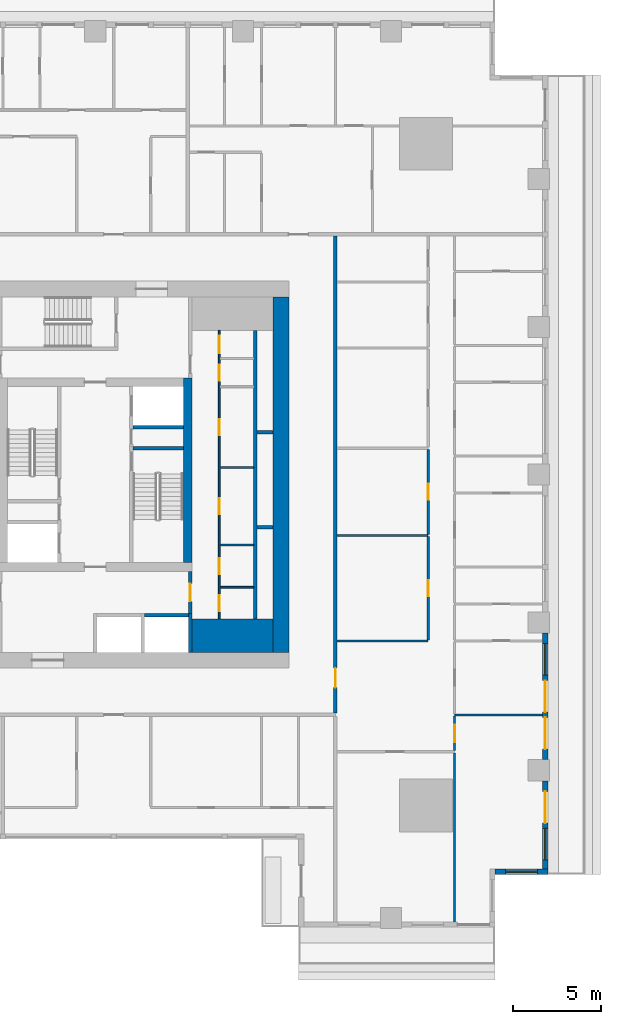
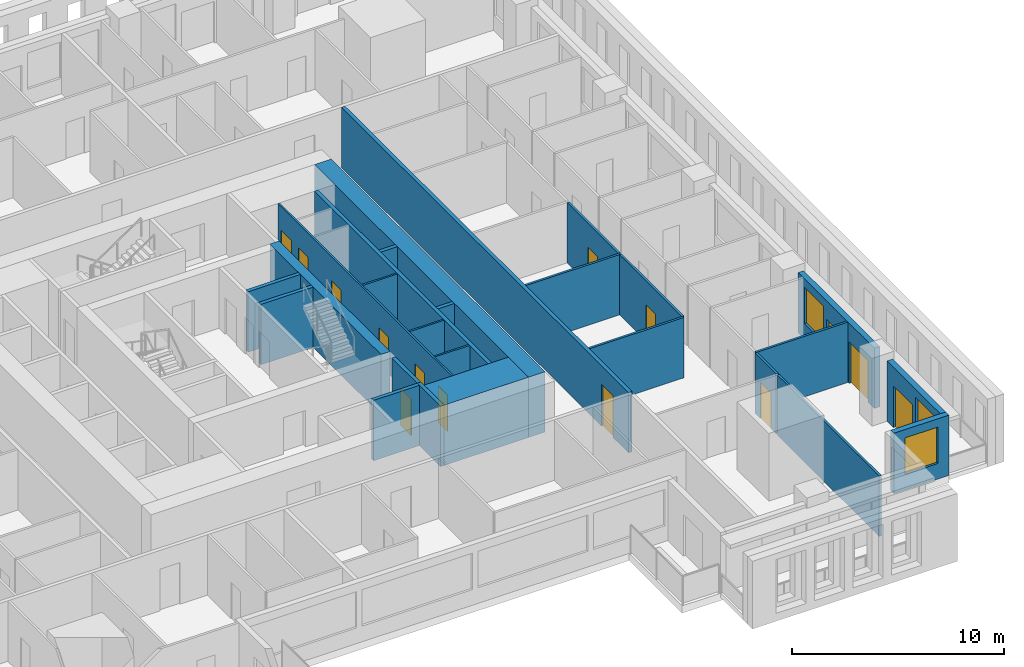
# One storey, part 5 of 15: 26 walls, 14 doors, 3 windows, 17 openings.
"""IFC4 building model written with IfcOpenShell, lengths in metres."""

from ifc_helpers import new_model, si_unit, direction, frame, frame_2d, origin, place, context, subcontext, project, spatial, rectangle, extrude, material, layer, layer_set, type_object, element, fill, save


model = new_model("IFC4")

# Units and contexts
model_context = context("Model", 3, precision=1e-05, world=origin(), true_north=direction((0.0, 1.0)))
body_context = subcontext(model_context, "Body", "Model", "MODEL_VIEW")
ifc_project = project(units=[si_unit("LENGTHUNIT", "METRE"), si_unit("AREAUNIT", "SQUARE_METRE"), si_unit("VOLUMEUNIT", "CUBIC_METRE"), si_unit("PLANEANGLEUNIT", "RADIAN"), si_unit("MASSUNIT", "GRAM", prefix="KILO")], contexts=[model_context])

# Site, building, storey
site_placement = place(None, origin())
site = spatial("IfcSite", under=ifc_project, at=site_placement, CompositionType="ELEMENT")
building_placement = place(site_placement, origin())
building = spatial("IfcBuilding", under=site, at=building_placement, Name="Khepri Terraces", CompositionType="ELEMENT")
storey_placement = place(building_placement, frame((0.0, 0.0, 58.199951171875)))
storey = spatial("IfcBuildingStorey", under=building, at=storey_placement, Name="L13", CompositionType="ELEMENT", Elevation=58.199951171875)

# Walls
ifc_material_1 = material(Name="Concrete C80/95", Category="concrete")
ifc_layer_1 = layer(ifc_material_1, 1.89990234375, Name="Concrete C80/95", Category="concrete")
ifc_layer_set_1 = layer_set([ifc_layer_1], Name="Concrete C80/95")
wall_type_1 = type_object("IfcWallType", Name="Core wall 1900 C80/95", PredefinedType="SHEAR", material=ifc_layer_set_1)
wall_1_placement = place(storey_placement, frame((5.5, -9.14990234375, 0.0), z_axis=(0.0, 0.0, 1.0), x_axis=(1.0, 0.0, 0.0)))
element("IfcWall", 1, at=wall_1_placement, inside=storey, type_object=wall_type_1, Name="Core wall PR02 L13", PredefinedType="SHEAR", context=body_context, shape_type="SweptSolid", body=[
    extrude(rectangle(XDim=4.60009765625, YDim=1.89990234375, at=frame_2d((2.300048828125, 0.0))), origin(), (0.0, 0.0, 1.0), 3.47998046875),
])
ifc_layer_2 = layer(ifc_material_1, 0.199951171875, Name="Concrete C80/95", Category="concrete")
ifc_layer_set_2 = layer_set([ifc_layer_2], Name="Concrete C80/95")
wall_type_2 = type_object("IfcWallType", Name="Core wall 200 C80/95", PredefinedType="SHEAR", material=ifc_layer_set_2)
wall_2_placement = place(storey_placement, frame((2.14990234375, 1.5, 0.0), z_axis=(0.0, 0.0, 1.0), x_axis=(1.0, 0.0, 0.0)))
element("IfcWall", 2, at=wall_2_placement, inside=storey, type_object=wall_type_2, Name="Core wall ST04 L13", PredefinedType="SHEAR", context=body_context, shape_type="SweptSolid", body=[
    extrude(rectangle(XDim=2.85009765625, YDim=0.199951171875, at=frame_2d((1.425048828125, 0.0))), origin(), (0.0, 0.0, 1.0), 3.47998046875),
])
wall_3_placement = place(storey_placement, frame((5.39990234375, -10.10009765625, 0.0), z_axis=(0.0, 0.0, 1.0), x_axis=(0.0, 1.0, 0.0)))
element("IfcWall", 3, at=wall_3_placement, inside=storey, type_object=wall_type_2, Name="Core wall SH03 L13", PredefinedType="SHEAR", context=body_context, shape_type="SweptSolid", body=[
    extrude(rectangle(XDim=2.2001953125, YDim=0.199951171875, at=frame_2d((1.10009765625, 0.0))), origin(), (0.0, 0.0, 1.0), 3.47998046875),
])
wall_4_placement = place(storey_placement, frame((9.10009765625, -8.199951171875, 0.0), z_axis=(0.0, 0.0, 1.0), x_axis=(0.0, 1.0, 0.0)))
element("IfcWall", 4, at=wall_4_placement, inside=storey, type_object=wall_type_2, Name="Core wall SH05 L13", PredefinedType="SHEAR", context=body_context, shape_type="SweptSolid", body=[
    extrude(rectangle(XDim=16.39990234375, YDim=0.199951171875, at=frame_2d((8.199951171875, 0.0))), origin(), (0.0, 0.0, 1.0), 3.47998046875),
])
wall_5_placement = place(storey_placement, frame((2.800048828125, -8.0, 0.0), z_axis=(0.0, 0.0, 1.0), x_axis=(1.0, 0.0, 0.0)))
element("IfcWall", 5, at=wall_5_placement, inside=storey, type_object=wall_type_2, Name="Core wall SH07 L13", PredefinedType="SHEAR", context=body_context, shape_type="SweptSolid", body=[
    extrude(rectangle(XDim=2.5, YDim=0.199951171875, at=frame_2d((1.25, 0.0))), origin(), (0.0, 0.0, 1.0), 3.47998046875),
])
for number, where, z_axis, x_axis, name in (
    (6, (9.199951171875, -3.0, 0.0), (0.0, 0.0, 1.0), (1.0, 0.0, 0.0), "Core wall SH11 L13"),
    (7, (9.199951171875, 2.39990234375, 0.0), (0.0, 0.0, 1.0), (1.0, 0.0, 0.0), "Core wall SH16 L13"),
):
    element("IfcWall", number, at=place(storey_placement, frame(where, z_axis=z_axis, x_axis=x_axis)), inside=storey, type_object=wall_type_2, Name=name, PredefinedType="SHEAR", context=body_context, shape_type="SweptSolid", body=[
        extrude(rectangle(XDim=0.900146484375, YDim=0.199951171875, at=frame_2d((0.4501953125, 0.0))), origin(), (0.0, 0.0, 1.0), 3.47998046875),
    ])
wall_6_placement = place(storey_placement, frame((2.14990234375, 2.699951171875, 0.0), z_axis=(0.0, 0.0, 1.0), x_axis=(1.0, 0.0, 0.0)))
element("IfcWall", 8, at=wall_6_placement, inside=storey, type_object=wall_type_2, Name="Core wall SH18 L13", PredefinedType="SHEAR", context=body_context, shape_type="SweptSolid", body=[
    extrude(rectangle(XDim=2.85009765625, YDim=0.199951171875, at=frame_2d((1.425048828125, 0.0))), origin(), (0.0, 0.0, 1.0), 3.47998046875),
])
ifc_layer_3 = layer(ifc_material_1, 0.5, Name="Concrete C80/95", Category="concrete")
ifc_layer_set_3 = layer_set([ifc_layer_3], Name="Concrete C80/95")
wall_type_3 = type_object("IfcWallType", Name="Core wall 500 C80/95", PredefinedType="SHEAR", material=ifc_layer_set_3)
wall_7_placement = place(storey_placement, frame((5.25, -5.0, 0.0), z_axis=(0.0, 0.0, 1.0), x_axis=(0.0, 1.0, 0.0)))
element("IfcWall", 9, at=wall_7_placement, inside=storey, type_object=wall_type_3, Name="Core wall BX03 L13", PredefinedType="SHEAR", context=body_context, shape_type="SweptSolid", body=[
    extrude(rectangle(XDim=10.5, YDim=0.5, at=frame_2d((5.25, 0.0))), origin(), (0.0, 0.0, 1.0), 3.47998046875),
])
ifc_layer_4 = layer(ifc_material_1, 0.89990234375, Name="Concrete C80/95", Category="concrete")
ifc_layer_set_4 = layer_set([ifc_layer_4], Name="Concrete C80/95")
wall_type_4 = type_object("IfcWallType", Name="Core wall 900 C80/95", PredefinedType="SHEAR", material=ifc_layer_set_4)
wall_8_placement = place(storey_placement, frame((10.550048828125, -10.10009765625, 0.0), z_axis=(0.0, 0.0, 1.0), x_axis=(0.0, 1.0, 0.0)))
element("IfcWall", 10, at=wall_8_placement, inside=storey, type_object=wall_type_4, Name="Core wall OW-E L13", PredefinedType="SHEAR", context=body_context, shape_type="SweptSolid", body=[
    extrude(rectangle(XDim=20.2001953125, YDim=0.89990234375, at=frame_2d((10.10009765625, 0.0))), origin(), (0.0, 0.0, 1.0), 3.47998046875),
])

# Wall, openings, doors
ifc_material_2 = material(Name="Fire-rated gypsum board partition")
ifc_layer_5 = layer(ifc_material_2, 0.10009765625, Name="Fire-rated gypsum board partition")
ifc_layer_set_5 = layer_set([ifc_layer_5], Name="Fire-rated gypsum board partition")
wall_type_5 = type_object("IfcWallType", Name="WL-CORE-PART-100", PredefinedType="PARTITIONING", material=ifc_layer_set_5)
wall_9_placement = place(storey_placement, frame((7.050048828125, -8.199951171875, 0.0), z_axis=(0.0, 0.0, 1.0), x_axis=(0.0, 1.0, 0.0)))
wall_9 = element("IfcWall", 11, at=wall_9_placement, inside=storey, type_object=wall_type_5, Name="Core partition PT02 L13", PredefinedType="PARTITIONING", context=body_context, shape_type="SweptSolid", body=[
    extrude(rectangle(XDim=16.39990234375, YDim=0.10009765625, at=frame_2d((8.199951171875, 0.0))), origin(), (0.0, 0.0, 1.0), 3.47998046875),
])
opening_1_placement = place(wall_9_placement, frame((0.449951171875, 0.0, 0.0)))
opening_1 = element("IfcOpeningElement", 12, at=opening_1_placement, cuts=wall_9, Name="Opening L13-C22", PredefinedType="OPENING", context=body_context, shape_type="SweptSolid", body=[
    extrude(rectangle(XDim=0.89990234375, YDim=2.10009765625, at=frame_2d((0.449951171875, 1.050048828125))), frame((0.0, 0.06005859375, 0.0), z_axis=(0.0, -1.0, 0.0), x_axis=(1.0, 0.0, 0.0)), (0.0, 0.0, 1.0), 0.1201171875),
])
opening_2_placement = place(wall_9_placement, frame((2.550048828125, 0.0, 0.0)))
opening_2 = element("IfcOpeningElement", 13, at=opening_2_placement, cuts=wall_9, Name="Opening L13-C23", PredefinedType="OPENING", context=body_context, shape_type="SweptSolid", body=[
    extrude(rectangle(XDim=0.89990234375, YDim=2.10009765625, at=frame_2d((0.449951171875, 1.050048828125))), frame((0.0, 0.06005859375, 0.0), z_axis=(0.0, -1.0, 0.0), x_axis=(1.0, 0.0, 0.0)), (0.0, 0.0, 1.0), 0.1201171875),
])
opening_3_placement = place(wall_9_placement, frame((5.949951171875, 0.0, 0.0)))
opening_3 = element("IfcOpeningElement", 14, at=opening_3_placement, cuts=wall_9, Name="Opening L13-C24", PredefinedType="OPENING", context=body_context, shape_type="SweptSolid", body=[
    extrude(rectangle(XDim=0.89990234375, YDim=2.10009765625, at=frame_2d((0.449951171875, 1.050048828125))), frame((0.0, 0.06005859375, 0.0), z_axis=(0.0, -1.0, 0.0), x_axis=(1.0, 0.0, 0.0)), (0.0, 0.0, 1.0), 0.1201171875),
])
opening_4_placement = place(wall_9_placement, frame((10.449951171875, 0.0, 0.0)))
opening_4 = element("IfcOpeningElement", 15, at=opening_4_placement, cuts=wall_9, Name="Opening L13-C25", PredefinedType="OPENING", context=body_context, shape_type="SweptSolid", body=[
    extrude(rectangle(XDim=0.89990234375, YDim=2.10009765625, at=frame_2d((0.449951171875, 1.050048828125))), frame((0.0, 0.06005859375, 0.0), z_axis=(0.0, -1.0, 0.0), x_axis=(1.0, 0.0, 0.0)), (0.0, 0.0, 1.0), 0.1201171875),
])
opening_5_placement = place(wall_9_placement, frame((13.550048828125, 0.0, 0.0)))
opening_5 = element("IfcOpeningElement", 16, at=opening_5_placement, cuts=wall_9, Name="Opening L13-C26", PredefinedType="OPENING", context=body_context, shape_type="SweptSolid", body=[
    extrude(rectangle(XDim=0.89990234375, YDim=2.10009765625, at=frame_2d((0.449951171875, 1.050048828125))), frame((0.0, 0.06005859375, 0.0), z_axis=(0.0, -1.0, 0.0), x_axis=(1.0, 0.0, 0.0)), (0.0, 0.0, 1.0), 0.1201171875),
])
opening_6_placement = place(wall_9_placement, frame((15.10009765625, 0.0, 0.0)))
opening_6 = element("IfcOpeningElement", 17, at=opening_6_placement, cuts=wall_9, Name="Opening L13-C27", PredefinedType="OPENING", context=body_context, shape_type="SweptSolid", body=[
    extrude(rectangle(XDim=1.0, YDim=2.10009765625, at=frame_2d((0.5, 1.050048828125))), frame((0.0, 0.06005859375, 0.0), z_axis=(0.0, -1.0, 0.0), x_axis=(1.0, 0.0, 0.0)), (0.0, 0.0, 1.0), 0.1201171875),
])
ifc_material_3 = material(Name="Painted steel", Category="steel")
door_type_1 = type_object("IfcDoorType", Name="DR-CORE-SERVICE-900", OperationType="NOTDEFINED", PredefinedType="DOOR", material=ifc_material_3)
door_1_placement = place(opening_1_placement, frame((0.89990234375, 0.0, 0.0), z_axis=(0.0, 0.0, 1.0), x_axis=(-1.0, 0.0, 0.0)))
door_1 = element("IfcDoor", 18, at=door_1_placement, inside=storey, type_object=door_type_1, Name="Service room door L13-C22", OperationType="SINGLE_SWING_RIGHT", OverallHeight=2.10009765625, OverallWidth=0.89990234375, PredefinedType="DOOR", context=body_context, shape_type="SweptSolid", body=[
    extrude(rectangle(XDim=0.89990234375, YDim=2.10009765625, at=frame_2d((0.449951171875, 1.050048828125))), frame((0.0, 0.02490234375, 0.0), z_axis=(0.0, -1.0, 0.0), x_axis=(1.0, 0.0, 0.0)), (0.0, 0.0, 1.0), 0.050048828125),
])
fill(opening_1, door_1)
door_2_placement = place(opening_2_placement, frame((0.89990234375, 0.0, 0.0), z_axis=(0.0, 0.0, 1.0), x_axis=(-1.0, 0.0, 0.0)))
door_2 = element("IfcDoor", 19, at=door_2_placement, inside=storey, type_object=door_type_1, Name="Service room door L13-C23", OperationType="SINGLE_SWING_RIGHT", OverallHeight=2.10009765625, OverallWidth=0.89990234375, PredefinedType="DOOR", context=body_context, shape_type="SweptSolid", body=[
    extrude(rectangle(XDim=0.89990234375, YDim=2.10009765625, at=frame_2d((0.449951171875, 1.050048828125))), frame((0.0, 0.02490234375, 0.0), z_axis=(0.0, -1.0, 0.0), x_axis=(1.0, 0.0, 0.0)), (0.0, 0.0, 1.0), 0.050048828125),
])
fill(opening_2, door_2)
door_3_placement = place(opening_3_placement, frame((0.89990234375, 0.0, 0.0), z_axis=(0.0, 0.0, 1.0), x_axis=(-1.0, 0.0, 0.0)))
door_3 = element("IfcDoor", 20, at=door_3_placement, inside=storey, type_object=door_type_1, Name="Service room door L13-C24", OperationType="SINGLE_SWING_RIGHT", OverallHeight=2.10009765625, OverallWidth=0.89990234375, PredefinedType="DOOR", context=body_context, shape_type="SweptSolid", body=[
    extrude(rectangle(XDim=0.89990234375, YDim=2.10009765625, at=frame_2d((0.449951171875, 1.050048828125))), frame((0.0, 0.02490234375, 0.0), z_axis=(0.0, -1.0, 0.0), x_axis=(1.0, 0.0, 0.0)), (0.0, 0.0, 1.0), 0.050048828125),
])
fill(opening_3, door_3)
door_4_placement = place(opening_4_placement, frame((0.89990234375, 0.0, 0.0), z_axis=(0.0, 0.0, 1.0), x_axis=(-1.0, 0.0, 0.0)))
door_4 = element("IfcDoor", 21, at=door_4_placement, inside=storey, type_object=door_type_1, Name="Service room door L13-C25", OperationType="SINGLE_SWING_LEFT", OverallHeight=2.10009765625, OverallWidth=0.89990234375, PredefinedType="DOOR", context=body_context, shape_type="SweptSolid", body=[
    extrude(rectangle(XDim=0.89990234375, YDim=2.10009765625, at=frame_2d((0.449951171875, 1.050048828125))), frame((0.0, 0.02490234375, 0.0), z_axis=(0.0, -1.0, 0.0), x_axis=(1.0, 0.0, 0.0)), (0.0, 0.0, 1.0), 0.050048828125),
])
fill(opening_4, door_4)
door_5_placement = place(opening_5_placement, frame((0.89990234375, 0.0, 0.0), z_axis=(0.0, 0.0, 1.0), x_axis=(-1.0, 0.0, 0.0)))
door_5 = element("IfcDoor", 22, at=door_5_placement, inside=storey, type_object=door_type_1, Name="Service room door L13-C26", OperationType="SINGLE_SWING_LEFT", OverallHeight=2.10009765625, OverallWidth=0.89990234375, PredefinedType="DOOR", context=body_context, shape_type="SweptSolid", body=[
    extrude(rectangle(XDim=0.89990234375, YDim=2.10009765625, at=frame_2d((0.449951171875, 1.050048828125))), frame((0.0, 0.02490234375, 0.0), z_axis=(0.0, -1.0, 0.0), x_axis=(1.0, 0.0, 0.0)), (0.0, 0.0, 1.0), 0.050048828125),
])
fill(opening_5, door_5)
ifc_material_4 = material(Name="Timber veneer", Category="wood")
door_type_2 = type_object("IfcDoorType", Name="DR-CORE-WC-1000", OperationType="NOTDEFINED", PredefinedType="DOOR", material=ifc_material_4)
door_6_placement = place(opening_6_placement, frame((1.0, 0.0, 0.0), z_axis=(0.0, 0.0, 1.0), x_axis=(-1.0, 0.0, 0.0)))
door_6 = element("IfcDoor", 23, at=door_6_placement, inside=storey, type_object=door_type_2, Name="WC door L13-C27", OperationType="SINGLE_SWING_LEFT", OverallHeight=2.10009765625, OverallWidth=1.0, PredefinedType="DOOR", context=body_context, shape_type="SweptSolid", body=[
    extrude(rectangle(XDim=1.0, YDim=2.10009765625, at=frame_2d((0.5, 1.050048828125))), frame((0.0, 0.02490234375, 0.0), z_axis=(0.0, -1.0, 0.0), x_axis=(1.0, 0.0, 0.0)), (0.0, 0.0, 1.0), 0.050048828125),
])
fill(opening_6, door_6)

# Walls
for number, where, z_axis, x_axis, name in (
    (24, (7.10009765625, -6.39990234375, 0.0), (0.0, 0.0, 1.0), (1.0, 0.0, 0.0), "Core partition PT04 L13"),
    (25, (7.10009765625, -4.0, 0.0), (0.0, 0.0, 1.0), (1.0, 0.0, 0.0), "Core partition PT05 L13"),
    (26, (7.10009765625, 0.39990234375, 0.0), (0.0, 0.0, 1.0), (1.0, 0.0, 0.0), "Core partition PT06 L13"),
):
    element("IfcWall", number, at=place(storey_placement, frame(where, z_axis=z_axis, x_axis=x_axis)), inside=storey, type_object=wall_type_5, Name=name, PredefinedType="PARTITIONING", context=body_context, shape_type="SweptSolid", body=[
        extrude(rectangle(XDim=1.89990234375, YDim=0.10009765625, at=frame_2d((0.949951171875, 0.0))), origin(), (0.0, 0.0, 1.0), 3.47998046875),
    ])

# Wall, opening, door
ifc_layer_6 = layer(ifc_material_2, 0.199951171875, Name="Fire-rated gypsum board partition")
ifc_layer_set_6 = layer_set([ifc_layer_6], Name="Fire-rated gypsum board partition")
wall_type_6 = type_object("IfcWallType", Name="WL-CORE-PART-200", PredefinedType="PARTITIONING", material=ifc_layer_set_6)
wall_10_placement = place(storey_placement, frame((5.39990234375, -7.89990234375, 0.0), z_axis=(0.0, 0.0, 1.0), x_axis=(0.0, 1.0, 0.0)))
wall_10 = element("IfcWall", 27, at=wall_10_placement, inside=storey, type_object=wall_type_6, Name="Core partition PT03 L13", PredefinedType="PARTITIONING", context=body_context, shape_type="SweptSolid", body=[
    extrude(rectangle(XDim=2.39990234375, YDim=0.199951171875, at=frame_2d((1.199951171875, 0.0))), origin(), (0.0, 0.0, 1.0), 3.47998046875),
])
opening_7_placement = place(wall_10_placement, frame((0.699951171875, 0.0, 0.0)))
opening_7 = element("IfcOpeningElement", 28, at=opening_7_placement, cuts=wall_10, Name="Opening L13-C19", PredefinedType="OPENING", context=body_context, shape_type="SweptSolid", body=[
    extrude(rectangle(XDim=1.0, YDim=2.10009765625, at=frame_2d((0.5, 1.050048828125))), frame((0.0, 0.10986328125, 0.0), z_axis=(0.0, -1.0, 0.0), x_axis=(1.0, 0.0, 0.0)), (0.0, 0.0, 1.0), 0.219970703125),
])
door_type_3 = type_object("IfcDoorType", Name="DR-CORE-LOBBY-1000", OperationType="NOTDEFINED", PredefinedType="DOOR", material=ifc_material_3)
door_7_placement = place(opening_7_placement, origin())
door_7 = element("IfcDoor", 29, at=door_7_placement, inside=storey, type_object=door_type_3, Name="Lobby door L13-C19", OperationType="SINGLE_SWING_RIGHT", OverallHeight=2.10009765625, OverallWidth=1.0, PredefinedType="DOOR", context=body_context, shape_type="SweptSolid", body=[
    extrude(rectangle(XDim=1.0, YDim=2.10009765625, at=frame_2d((0.5, 1.050048828125))), frame((0.0, 0.02490234375, 0.0), z_axis=(0.0, -1.0, 0.0), x_axis=(1.0, 0.0, 0.0)), (0.0, 0.0, 1.0), 0.050048828125),
])
fill(opening_7, door_7)

ifc_material_5 = material(Name="Fire-rated gypsum plasterboard partition, mineral wool")
ifc_layer_7 = layer(ifc_material_5, 0.199951171875, Name="Fire-rated gypsum plasterboard partition, mineral wool")
ifc_layer_set_7 = layer_set([ifc_layer_7], Name="Fire-rated gypsum plasterboard partition, mineral wool")
wall_type_7 = type_object("IfcWallType", Name="WL-CORR-200", PredefinedType="PARTITIONING", material=ifc_layer_set_7)
wall_11_placement = place(storey_placement, frame((13.64990234375, -13.550048828125, 0.0), z_axis=(0.0, 0.0, 1.0), x_axis=(0.0, 1.0, 0.0)))
wall_11 = element("IfcWall", 30, at=wall_11_placement, inside=storey, type_object=wall_type_7, Name="Partition P-024 L13", PredefinedType="PARTITIONING", context=body_context, shape_type="SweptSolid", body=[
    extrude(rectangle(XDim=27.10009765625, YDim=0.199951171875, at=frame_2d((13.550048828125, 0.0))), origin(), (0.0, 0.0, 1.0), 3.47998046875),
])
opening_8_placement = place(wall_11_placement, frame((1.449951171875, 0.0, 0.0)))
opening_8 = element("IfcOpeningElement", 31, at=opening_8_placement, cuts=wall_11, Name="Opening D1", PredefinedType="OPENING", context=body_context, shape_type="SweptSolid", body=[
    extrude(rectangle(XDim=1.10009765625, YDim=2.39990234375, at=frame_2d((0.550048828125, 1.199951171875))), frame((0.0, 0.10986328125, 0.0), z_axis=(0.0, -1.0, 0.0), x_axis=(1.0, 0.0, 0.0)), (0.0, 0.0, 1.0), 0.219970703125),
])
ifc_material_6 = material(Name="Solid-core timber door leaf, flat entrance door", Category="wood")
door_type_4 = type_object("IfcDoorType", Name="DR-ENT-1100", OperationType="NOTDEFINED", PredefinedType="DOOR", material=ifc_material_6)
door_8_placement = place(opening_8_placement, frame((1.10009765625, 0.0, 0.0), z_axis=(0.0, 0.0, 1.0), x_axis=(-1.0, 0.0, 0.0)))
door_8 = element("IfcDoor", 32, at=door_8_placement, inside=storey, type_object=door_type_4, Name="Flat B1 entrance door", OperationType="SINGLE_SWING_RIGHT", OverallHeight=2.39990234375, OverallWidth=1.10009765625, PredefinedType="DOOR", context=body_context, shape_type="SweptSolid", body=[
    extrude(rectangle(XDim=1.10009765625, YDim=2.39990234375, at=frame_2d((0.550048828125, 1.199951171875))), frame((0.0, 0.02490234375, 0.0), z_axis=(0.0, -1.0, 0.0), x_axis=(1.0, 0.0, 0.0)), (0.0, 0.0, 1.0), 0.050048828125),
])
fill(opening_8, door_8)

# Wall, opening, window
ifc_material_7 = material(Name="Precast concrete C50/60 warm stone", Category="masonry")
ifc_layer_8 = layer(ifc_material_7, 0.300048828125, Name="Precast concrete C50/60 warm stone", Category="masonry")
ifc_layer_set_8 = layer_set([ifc_layer_8], Name="Precast concrete C50/60 warm stone")
wall_type_8 = type_object("IfcWallType", Name="WL-EXT-PRECAST-300", PredefinedType="STANDARD", material=ifc_layer_set_8)
wall_12_placement = place(storey_placement, frame((22.719970703125, -22.570068359375, 0.0), z_axis=(0.0, 0.0, 1.0), x_axis=(1.0, 0.0, 0.0)))
wall_12 = element("IfcWall", 33, at=wall_12_placement, inside=storey, type_object=wall_type_8, Name="External wall L13 S", PredefinedType="STANDARD", context=body_context, shape_type="SweptSolid", body=[
    extrude(rectangle(XDim=3.0, YDim=0.300048828125, at=frame_2d((1.5, 0.0))), origin(), (0.0, 0.0, 1.0), 3.47998046875),
])
opening_9_placement = place(wall_12_placement, frame((0.60009765625, 0.0, 0.89990234375)))
opening_9 = element("IfcOpeningElement", 34, at=opening_9_placement, cuts=wall_12, Name="Opening W1", PredefinedType="OPENING", context=body_context, shape_type="SweptSolid", body=[
    extrude(rectangle(XDim=1.800048828125, YDim=2.10009765625, at=frame_2d((0.89990234375, 1.050048828125))), frame((0.0, 0.16015625, 0.0), z_axis=(0.0, -1.0, 0.0), x_axis=(1.0, 0.0, 0.0)), (0.0, 0.0, 1.0), 0.320068359375),
])
ifc_material_8 = material(Name="Clear glass", Category="glass")
window_type = type_object("IfcWindowType", Name="WIN-RES-1800x2100", PartitioningType="SINGLE_PANEL", PredefinedType="WINDOW", material=ifc_material_8)
window_1_placement = place(opening_9_placement, origin())
window_1 = element("IfcWindow", 35, at=window_1_placement, inside=storey, type_object=window_type, Name="Window L13 S", OverallHeight=2.10009765625, OverallWidth=1.800048828125, PartitioningType="SINGLE_PANEL", PredefinedType="WINDOW", context=body_context, shape_type="SweptSolid", body=[
    extrude(rectangle(XDim=1.800048828125, YDim=2.10009765625, at=frame_2d((0.89990234375, 1.050048828125))), frame((0.0, 0.030029296875, 0.0), z_axis=(0.0, -1.0, 0.0), x_axis=(1.0, 0.0, 0.0)), (0.0, 0.0, 1.0), 0.06005859375),
])
fill(opening_9, window_1)

# Wall, openings, door, window
wall_13_placement = place(storey_placement, frame((25.570068359375, -22.419921875, 0.0), z_axis=(0.0, 0.0, 1.0), x_axis=(0.0, 1.0, 0.0)))
wall_13 = element("IfcWall", 36, at=wall_13_placement, inside=storey, type_object=wall_type_8, Name="External wall L13 E", PredefinedType="STANDARD", context=body_context, shape_type="SweptSolid", body=[
    extrude(rectangle(XDim=5.02001953125, YDim=0.300048828125, at=frame_2d((2.510009765625, 0.0))), origin(), (0.0, 0.0, 1.0), 3.47998046875),
])
opening_10_placement = place(wall_13_placement, frame((0.52001953125, 0.0, 0.89990234375)))
opening_10 = element("IfcOpeningElement", 37, at=opening_10_placement, cuts=wall_13, Name="Opening W1", PredefinedType="OPENING", context=body_context, shape_type="SweptSolid", body=[
    extrude(rectangle(XDim=1.800048828125, YDim=2.10009765625, at=frame_2d((0.89990234375, 1.050048828125))), frame((0.0, 0.16015625, 0.0), z_axis=(0.0, -1.0, 0.0), x_axis=(1.0, 0.0, 0.0)), (0.0, 0.0, 1.0), 0.320068359375),
])
opening_11_placement = place(wall_13_placement, frame((2.6201171875, 0.0, 0.0)))
opening_11 = element("IfcOpeningElement", 38, at=opening_11_placement, cuts=wall_13, Name="Opening ED-L13-01", PredefinedType="OPENING", context=body_context, shape_type="SweptSolid", body=[
    extrude(rectangle(XDim=1.800048828125, YDim=2.39990234375, at=frame_2d((0.89990234375, 1.199951171875))), frame((0.0, 0.16015625, 0.0), z_axis=(0.0, -1.0, 0.0), x_axis=(1.0, 0.0, 0.0)), (0.0, 0.0, 1.0), 0.320068359375),
])
ifc_material_9 = material(Name="Anodised aluminium bronze glazed door", Category="aluminium")
door_type_5 = type_object("IfcDoorType", Name="DR-BAL-SLIDE-1800x2400", OperationType="NOTDEFINED", PredefinedType="DOOR", material=ifc_material_9)
door_9_placement = place(opening_11_placement, origin())
door_9 = element("IfcDoor", 39, at=door_9_placement, inside=storey, type_object=door_type_5, Name="Balcony door L13 E", OperationType="SLIDING_TO_RIGHT", OverallHeight=2.39990234375, OverallWidth=1.800048828125, PredefinedType="DOOR", context=body_context, shape_type="SweptSolid", body=[
    extrude(rectangle(XDim=1.800048828125, YDim=2.39990234375, at=frame_2d((0.89990234375, 1.199951171875))), frame((0.0, 0.02490234375, 0.0), z_axis=(0.0, -1.0, 0.0), x_axis=(1.0, 0.0, 0.0)), (0.0, 0.0, 1.0), 0.050048828125),
])
fill(opening_11, door_9)
window_2_placement = place(opening_10_placement, origin())
window_2 = element("IfcWindow", 40, at=window_2_placement, inside=storey, type_object=window_type, Name="Window L13 E", OverallHeight=2.10009765625, OverallWidth=1.800048828125, PartitioningType="SINGLE_PANEL", PredefinedType="WINDOW", context=body_context, shape_type="SweptSolid", body=[
    extrude(rectangle(XDim=1.800048828125, YDim=2.10009765625, at=frame_2d((0.89990234375, 1.050048828125))), frame((0.0, 0.030029296875, 0.0), z_axis=(0.0, -1.0, 0.0), x_axis=(1.0, 0.0, 0.0)), (0.0, 0.0, 1.0), 0.06005859375),
])
fill(opening_10, window_2)

# Wall, openings, doors, window
wall_14_placement = place(storey_placement, frame((25.570068359375, -16.199951171875, 0.0), z_axis=(0.0, 0.0, 1.0), x_axis=(0.0, 1.0, 0.0)))
wall_14 = element("IfcWall", 41, at=wall_14_placement, inside=storey, type_object=wall_type_8, Name="External wall L13 E", PredefinedType="STANDARD", context=body_context, shape_type="SweptSolid", body=[
    extrude(rectangle(XDim=7.199951171875, YDim=0.300048828125, at=frame_2d((3.60009765625, 0.0))), origin(), (0.0, 0.0, 1.0), 3.47998046875),
])
opening_12_placement = place(wall_14_placement, frame((0.60009765625, 0.0, 0.0)))
opening_12 = element("IfcOpeningElement", 42, at=opening_12_placement, cuts=wall_14, Name="Opening ED-L13-02", PredefinedType="OPENING", context=body_context, shape_type="SweptSolid", body=[
    extrude(rectangle(XDim=1.800048828125, YDim=2.39990234375, at=frame_2d((0.89990234375, 1.199951171875))), frame((0.0, 0.16015625, 0.0), z_axis=(0.0, -1.0, 0.0), x_axis=(1.0, 0.0, 0.0)), (0.0, 0.0, 1.0), 0.320068359375),
])
opening_13_placement = place(wall_14_placement, frame((2.699951171875, 0.0, 0.0)))
opening_13 = element("IfcOpeningElement", 43, at=opening_13_placement, cuts=wall_14, Name="Opening ED-L13-03", PredefinedType="OPENING", context=body_context, shape_type="SweptSolid", body=[
    extrude(rectangle(XDim=1.800048828125, YDim=2.39990234375, at=frame_2d((0.89990234375, 1.199951171875))), frame((0.0, 0.16015625, 0.0), z_axis=(0.0, -1.0, 0.0), x_axis=(1.0, 0.0, 0.0)), (0.0, 0.0, 1.0), 0.320068359375),
])
opening_14_placement = place(wall_14_placement, frame((4.800048828125, 0.0, 0.89990234375)))
opening_14 = element("IfcOpeningElement", 44, at=opening_14_placement, cuts=wall_14, Name="Opening W1", PredefinedType="OPENING", context=body_context, shape_type="SweptSolid", body=[
    extrude(rectangle(XDim=1.800048828125, YDim=2.10009765625, at=frame_2d((0.89990234375, 1.050048828125))), frame((0.0, 0.16015625, 0.0), z_axis=(0.0, -1.0, 0.0), x_axis=(1.0, 0.0, 0.0)), (0.0, 0.0, 1.0), 0.320068359375),
])
door_10_placement = place(opening_12_placement, origin())
door_10 = element("IfcDoor", 45, at=door_10_placement, inside=storey, type_object=door_type_5, Name="Balcony door L13 E", OperationType="SLIDING_TO_LEFT", OverallHeight=2.39990234375, OverallWidth=1.800048828125, PredefinedType="DOOR", context=body_context, shape_type="SweptSolid", body=[
    extrude(rectangle(XDim=1.800048828125, YDim=2.39990234375, at=frame_2d((0.89990234375, 1.199951171875))), frame((0.0, 0.02490234375, 0.0), z_axis=(0.0, -1.0, 0.0), x_axis=(1.0, 0.0, 0.0)), (0.0, 0.0, 1.0), 0.050048828125),
])
fill(opening_12, door_10)
door_11_placement = place(opening_13_placement, origin())
door_11 = element("IfcDoor", 46, at=door_11_placement, inside=storey, type_object=door_type_5, Name="Balcony door L13 E", OperationType="SLIDING_TO_RIGHT", OverallHeight=2.39990234375, OverallWidth=1.800048828125, PredefinedType="DOOR", context=body_context, shape_type="SweptSolid", body=[
    extrude(rectangle(XDim=1.800048828125, YDim=2.39990234375, at=frame_2d((0.89990234375, 1.199951171875))), frame((0.0, 0.02490234375, 0.0), z_axis=(0.0, -1.0, 0.0), x_axis=(1.0, 0.0, 0.0)), (0.0, 0.0, 1.0), 0.050048828125),
])
fill(opening_13, door_11)
window_3_placement = place(opening_14_placement, origin())
window_3 = element("IfcWindow", 47, at=window_3_placement, inside=storey, type_object=window_type, Name="Window L13 E", OverallHeight=2.10009765625, OverallWidth=1.800048828125, PartitioningType="SINGLE_PANEL", PredefinedType="WINDOW", context=body_context, shape_type="SweptSolid", body=[
    extrude(rectangle(XDim=1.800048828125, YDim=2.10009765625, at=frame_2d((0.89990234375, 1.050048828125))), frame((0.0, 0.030029296875, 0.0), z_axis=(0.0, -1.0, 0.0), x_axis=(1.0, 0.0, 0.0)), (0.0, 0.0, 1.0), 0.06005859375),
])
fill(opening_14, window_3)

# Wall
ifc_material_10 = material(Name="Gypsum plasterboard partition")
ifc_layer_9 = layer(ifc_material_10, 0.1201171875, Name="Gypsum plasterboard partition")
ifc_layer_set_9 = layer_set([ifc_layer_9], Name="Gypsum plasterboard partition")
wall_type_9 = type_object("IfcWallType", Name="WL-PART-120", PredefinedType="PARTITIONING", material=ifc_layer_set_9)
wall_15_placement = place(storey_placement, frame((20.419921875, -25.419921875, 0.0), z_axis=(0.0, 0.0, 1.0), x_axis=(0.0, 1.0, 0.0)))
element("IfcWall", 48, at=wall_15_placement, inside=storey, type_object=wall_type_9, Name="Partition P-002 L13", PredefinedType="PARTITIONING", context=body_context, shape_type="SweptSolid", body=[
    extrude(rectangle(XDim=9.60986328125, YDim=0.1201171875, at=frame_2d((4.804931640625, 0.0))), origin(), (0.0, 0.0, 1.0), 3.47998046875),
])

# Wall, opening, door
wall_16_placement = place(storey_placement, frame((20.419921875, -15.68994140625, 0.0), z_axis=(0.0, 0.0, 1.0), x_axis=(0.0, 1.0, 0.0)))
wall_16 = element("IfcWall", 49, at=wall_16_placement, inside=storey, type_object=wall_type_9, Name="Partition P-017 L13", PredefinedType="PARTITIONING", context=body_context, shape_type="SweptSolid", body=[
    extrude(rectangle(XDim=1.97998046875, YDim=0.1201171875, at=frame_2d((0.989990234375, 0.0))), origin(), (0.0, 0.0, 1.0), 3.47998046875),
])
opening_15_placement = place(wall_16_placement, frame((0.489990234375, 0.0, 0.0)))
opening_15 = element("IfcOpeningElement", 50, at=opening_15_placement, cuts=wall_16, Name="Opening D2", PredefinedType="OPENING", context=body_context, shape_type="SweptSolid", body=[
    extrude(rectangle(XDim=1.0, YDim=2.10009765625, at=frame_2d((0.5, 1.050048828125))), frame((0.0, 0.070068359375, 0.0), z_axis=(0.0, -1.0, 0.0), x_axis=(1.0, 0.0, 0.0)), (0.0, 0.0, 1.0), 0.14013671875),
])
ifc_material_11 = material(Name="Timber door leaf, living room door", Category="wood")
door_type_6 = type_object("IfcDoorType", Name="DR-INT-1000", OperationType="NOTDEFINED", PredefinedType="DOOR", material=ifc_material_11)
door_12_placement = place(opening_15_placement, frame((1.0, 0.0, 0.0), z_axis=(0.0, 0.0, 1.0), x_axis=(-1.0, 0.0, 0.0)))
door_12 = element("IfcDoor", 51, at=door_12_placement, inside=storey, type_object=door_type_6, Name="Door Living Room", OperationType="SINGLE_SWING_LEFT", OverallHeight=2.10009765625, OverallWidth=1.0, PredefinedType="DOOR", context=body_context, shape_type="SweptSolid", body=[
    extrude(rectangle(XDim=1.0, YDim=2.10009765625, at=frame_2d((0.5, 1.050048828125))), frame((0.0, 0.02490234375, 0.0), z_axis=(0.0, -1.0, 0.0), x_axis=(1.0, 0.0, 0.0)), (0.0, 0.0, 1.0), 0.050048828125),
])
fill(opening_15, door_12)

# Walls
wall_17_placement = place(storey_placement, frame((20.419921875, -13.64990234375, 0.0), z_axis=(0.0, 0.0, 1.0), x_axis=(1.0, 0.0, 0.0)))
element("IfcWall", 52, at=wall_17_placement, inside=storey, type_object=wall_type_9, Name="Partition P-019 L13", PredefinedType="PARTITIONING", context=body_context, shape_type="SweptSolid", body=[
    extrude(rectangle(XDim=5.0, YDim=0.1201171875, at=frame_2d((2.5, 0.0))), origin(), (0.0, 0.0, 1.0), 3.47998046875),
])
wall_18_placement = place(storey_placement, frame((13.75, -9.449951171875, 0.0), z_axis=(0.0, 0.0, 1.0), x_axis=(1.0, 0.0, 0.0)))
element("IfcWall", 53, at=wall_18_placement, inside=storey, type_object=wall_type_9, Name="Partition P-030 L13", PredefinedType="PARTITIONING", context=body_context, shape_type="SweptSolid", body=[
    extrude(rectangle(XDim=5.169921875, YDim=0.1201171875, at=frame_2d((2.5849609375, 0.0))), origin(), (0.0, 0.0, 1.0), 3.47998046875),
])

# Wall, opening, door
wall_19_placement = place(storey_placement, frame((18.919921875, -9.389892578125, 0.0), z_axis=(0.0, 0.0, 1.0), x_axis=(0.0, 1.0, 0.0)))
wall_19 = element("IfcWall", 54, at=wall_19_placement, inside=storey, type_object=wall_type_9, Name="Partition P-033 L13", PredefinedType="PARTITIONING", context=body_context, shape_type="SweptSolid", body=[
    extrude(rectangle(XDim=5.8798828125, YDim=0.1201171875, at=frame_2d((2.93994140625, 0.0))), origin(), (0.0, 0.0, 1.0), 3.47998046875),
])
opening_16_placement = place(wall_19_placement, frame((2.489990234375, 0.0, 0.0)))
opening_16 = element("IfcOpeningElement", 55, at=opening_16_placement, cuts=wall_19, Name="Opening D3", PredefinedType="OPENING", context=body_context, shape_type="SweptSolid", body=[
    extrude(rectangle(XDim=0.89990234375, YDim=2.10009765625, at=frame_2d((0.449951171875, 1.050048828125))), frame((0.0, 0.070068359375, 0.0), z_axis=(0.0, -1.0, 0.0), x_axis=(1.0, 0.0, 0.0)), (0.0, 0.0, 1.0), 0.14013671875),
])
ifc_material_12 = material(Name="Timber door leaf", Category="wood")
door_type_7 = type_object("IfcDoorType", Name="DR-INT-900", OperationType="NOTDEFINED", PredefinedType="DOOR", material=ifc_material_12)
door_13_placement = place(opening_16_placement, origin())
door_13 = element("IfcDoor", 56, at=door_13_placement, inside=storey, type_object=door_type_7, Name="Door Kitchen", OperationType="SINGLE_SWING_RIGHT", OverallHeight=2.10009765625, OverallWidth=0.89990234375, PredefinedType="DOOR", context=body_context, shape_type="SweptSolid", body=[
    extrude(rectangle(XDim=0.89990234375, YDim=2.10009765625, at=frame_2d((0.449951171875, 1.050048828125))), frame((0.0, 0.02490234375, 0.0), z_axis=(0.0, -1.0, 0.0), x_axis=(1.0, 0.0, 0.0)), (0.0, 0.0, 1.0), 0.050048828125),
])
fill(opening_16, door_13)

# Wall
wall_20_placement = place(storey_placement, frame((13.75, -3.449951171875, 0.0), z_axis=(0.0, 0.0, 1.0), x_axis=(1.0, 0.0, 0.0)))
element("IfcWall", 57, at=wall_20_placement, inside=storey, type_object=wall_type_9, Name="Partition P-043 L13", PredefinedType="PARTITIONING", context=body_context, shape_type="SweptSolid", body=[
    extrude(rectangle(XDim=5.169921875, YDim=0.1201171875, at=frame_2d((2.5849609375, 0.0))), origin(), (0.0, 0.0, 1.0), 3.47998046875),
])

# Wall, opening, door
wall_21_placement = place(storey_placement, frame((18.919921875, -3.389892578125, 0.0), z_axis=(0.0, 0.0, 1.0), x_axis=(0.0, 1.0, 0.0)))
wall_21 = element("IfcWall", 58, at=wall_21_placement, inside=storey, type_object=wall_type_9, Name="Partition P-044 L13", PredefinedType="PARTITIONING", context=body_context, shape_type="SweptSolid", body=[
    extrude(rectangle(XDim=4.829833984375, YDim=0.1201171875, at=frame_2d((2.4150390625, 0.0))), origin(), (0.0, 0.0, 1.0), 3.47998046875),
])
opening_17_placement = place(wall_21_placement, frame((1.965087890625, 0.0, 0.0)))
opening_17 = element("IfcOpeningElement", 59, at=opening_17_placement, cuts=wall_21, Name="Opening D3", PredefinedType="OPENING", context=body_context, shape_type="SweptSolid", body=[
    extrude(rectangle(XDim=0.89990234375, YDim=2.10009765625, at=frame_2d((0.449951171875, 1.050048828125))), frame((0.0, 0.070068359375, 0.0), z_axis=(0.0, -1.0, 0.0), x_axis=(1.0, 0.0, 0.0)), (0.0, 0.0, 1.0), 0.14013671875),
])
door_14_placement = place(opening_17_placement, origin())
door_14 = element("IfcDoor", 60, at=door_14_placement, inside=storey, type_object=door_type_7, Name="Door Service Store", OperationType="SINGLE_SWING_RIGHT", OverallHeight=2.10009765625, OverallWidth=0.89990234375, PredefinedType="DOOR", context=body_context, shape_type="SweptSolid", body=[
    extrude(rectangle(XDim=0.89990234375, YDim=2.10009765625, at=frame_2d((0.449951171875, 1.050048828125))), frame((0.0, 0.02490234375, 0.0), z_axis=(0.0, -1.0, 0.0), x_axis=(1.0, 0.0, 0.0)), (0.0, 0.0, 1.0), 0.050048828125),
])
fill(opening_17, door_14)

save(model, "model.ifc")
